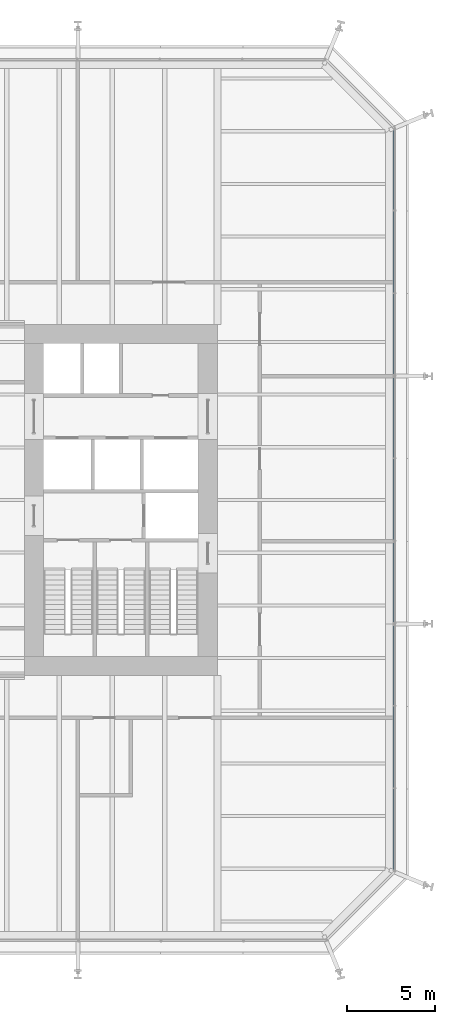
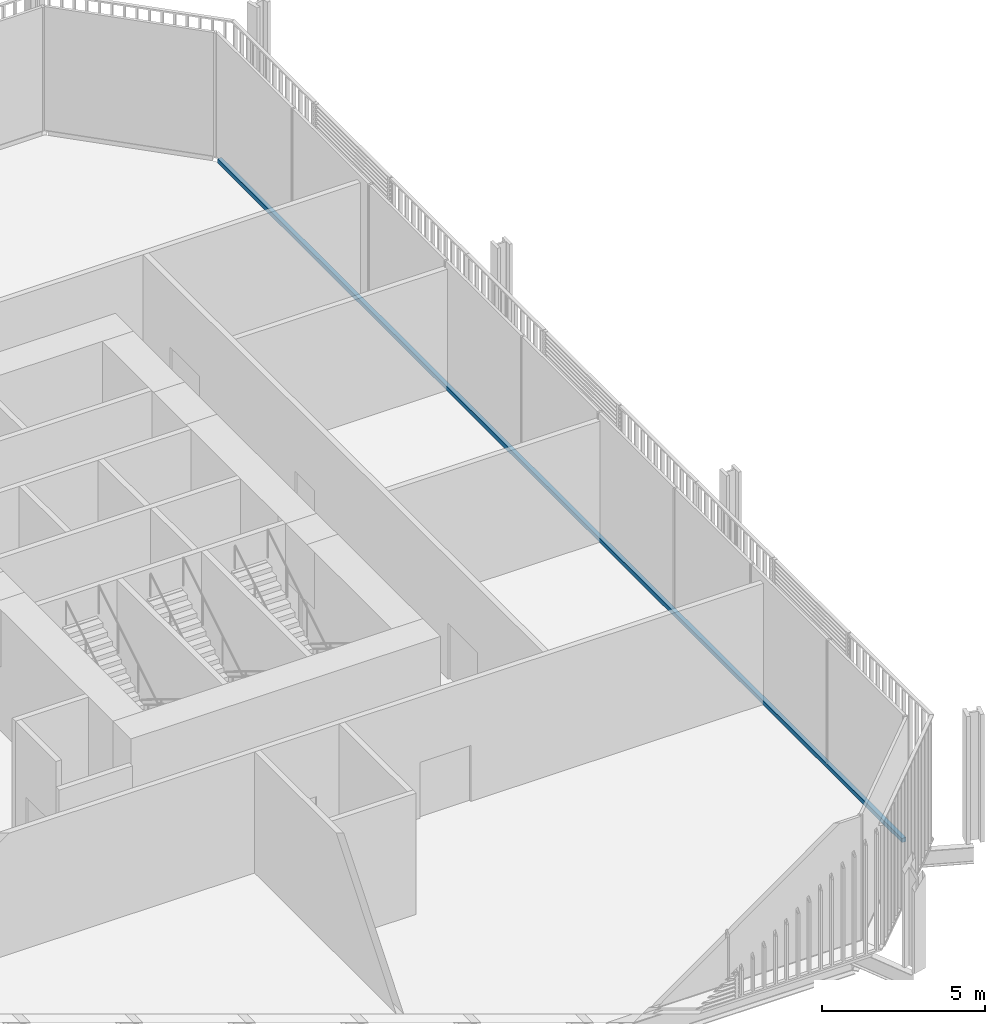
# One storey, part 10 of 22: 1 member, 1 element without a shape of its own.
"""IFC4 building model written with IfcOpenShell, lengths in metres."""

from ifc_helpers import new_model, si_unit, direction, frame, origin, origin_2d, place, context, subcontext, project, spatial, rectangle, extrude, material, layer, layer_set, material_profile, profile_set, type_object, element, aggregate, save


model = new_model("IFC4")

# Units and contexts
model_context = context("Model", 3, precision=1e-05, world=origin(), true_north=direction((0.0, 1.0)))
body_context = subcontext(model_context, "Body", "Model", "MODEL_VIEW")
ifc_project = project(units=[si_unit("LENGTHUNIT", "METRE"), si_unit("AREAUNIT", "SQUARE_METRE"), si_unit("VOLUMEUNIT", "CUBIC_METRE"), si_unit("PLANEANGLEUNIT", "RADIAN"), si_unit("MASSUNIT", "GRAM", prefix="KILO")], contexts=[model_context])

# Site, building, storey
site_placement = place(None, origin())
site = spatial("IfcSite", under=ifc_project, at=site_placement, CompositionType="ELEMENT")
building_placement = place(site_placement, origin())
building = spatial("IfcBuilding", under=site, at=building_placement, Name="Millrace Tower", CompositionType="ELEMENT")
storey_placement = place(building_placement, frame((0.0, 0.0, 59.300048828125)))
storey = spatial("IfcBuildingStorey", under=building, at=storey_placement, Name="L13", CompositionType="ELEMENT", Elevation=59.300048828125)

# Curtain wall, member
ifc_material_1 = material(Name="Aluminium and glass", Category="aluminium")
ifc_layer = layer(ifc_material_1, 0.14990234375)
ifc_layer_set = layer_set([ifc_layer], Name="Aluminium and glass")
curtain_wall_type = type_object("IfcCurtainWallType", Name="CW-2 data hall insulated curtain wall", PredefinedType="NOTDEFINED", material=ifc_layer_set)
curtain_wall_placement = place(storey_placement, origin())
curtain_wall = element("IfcCurtainWall", 1, at=curtain_wall_placement, inside=storey, type_object=curtain_wall_type, Name="Curtain wall A-F04 L13", PredefinedType="NOTDEFINED")
ifc_material_2 = material(Name="Aluminium", Category="aluminium")
ifc_material_profile = material_profile(ifc_material_2, rectangle(XDim=0.14990234375, YDim=0.159912109375, at=origin_2d()))
ifc_profile_set = profile_set([ifc_material_profile], Name="Aluminium")
member_type = type_object("IfcMemberType", Name="CW-2 data hall insulated curtain wall transom", PredefinedType="USERDEFINED", material=ifc_profile_set)
member_placement = place(storey_placement, frame((25.074951171875, -21.050048828125, 0.079833984375), z_axis=(0.0, 1.0, 0.0), x_axis=(-1.0, 0.0, 0.0)))
member = element("IfcMember", 2, at=member_placement, type_object=member_type, Name="CW2 transom A-F04.1", ObjectType="TRANSOM", PredefinedType="USERDEFINED", context=body_context, shape_type="SweptSolid", body=[
    extrude(rectangle(XDim=0.14990234375, YDim=0.159912109375, at=origin_2d()), origin(), (0.0, 0.0, 1.0), 42.10009765625),
])
aggregate(curtain_wall, [member])

save(model, "model.ifc")
